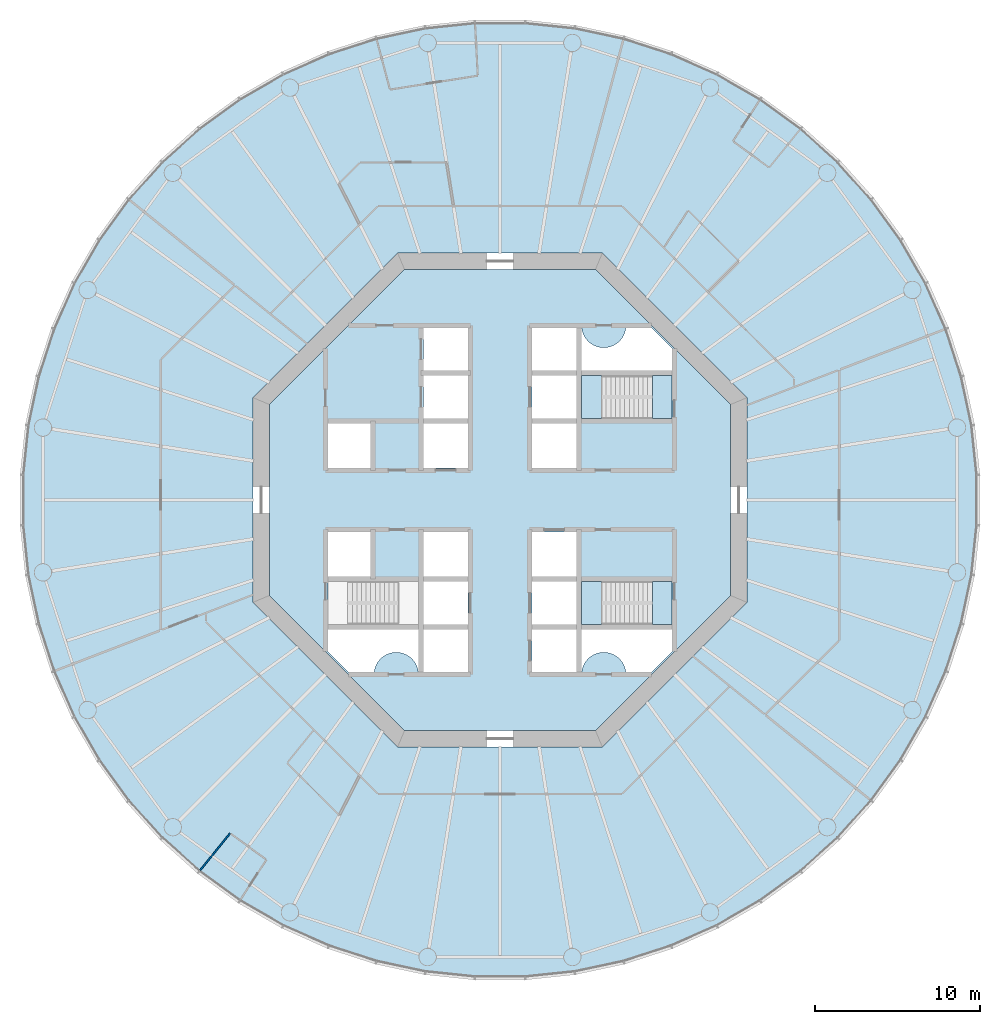
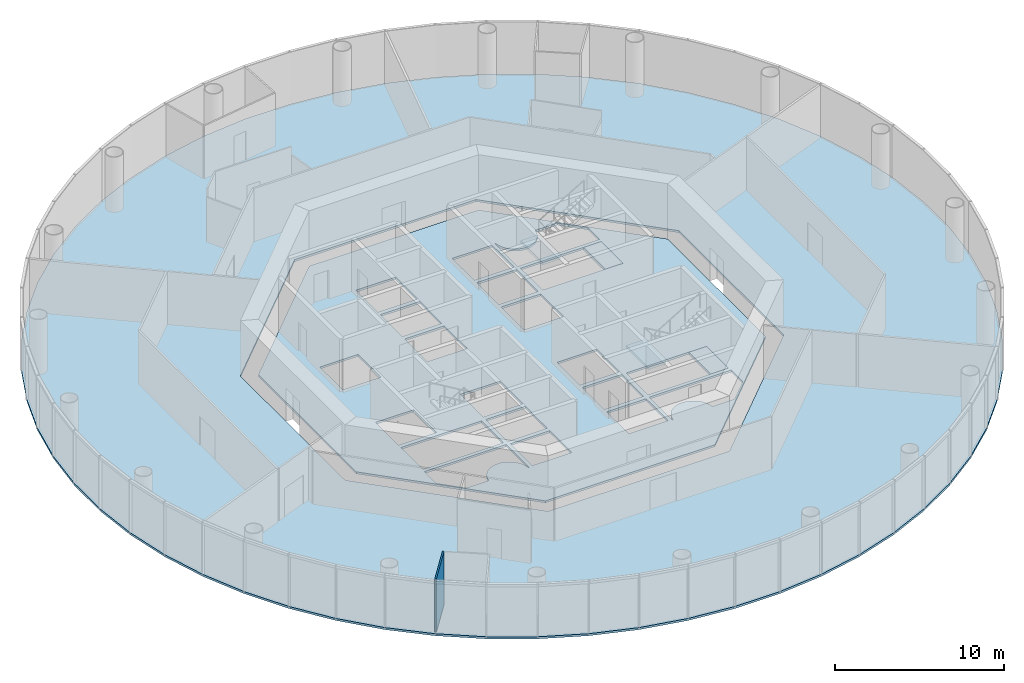
# One storey, part 2 of 12: 6 slabs, 1 wall, 2 elements without a shape of their own.
"""IFC4 building model written with IfcOpenShell, lengths in metres."""

import ifcopenshell
import ifcopenshell.guid

model = None  # the IFC model being written
_history = None  # IfcOwnerHistory: only IFC2X3 demands one
_inside = {}  # id of a spatial element -> (the spatial element, [elements in it])
_under = {}  # id of a project, library or spatial element -> (it, [spatial elements below it])
_declared = {}  # id of a project -> (the project, [libraries it declares])
_typed = {}  # id of a type object -> (the type object, [elements of that type])
_made_of = {}  # id of a material, layer set ... -> (it, [elements and type objects made of it])


def new_model(schema):
    """Start an empty IFC model of exactly this schema.

    Asked for "IFC4X3", IfcOpenShell would pick the latest addendum, in which some entities
    have other attributes; the version numbers below select the first issue.
    IFC2X3 requires an IfcOwnerHistory on every rooted entity: one is made here for all.
    """
    global model, _history
    if schema == "IFC4X3":
        model = ifcopenshell.file(schema_version=(4, 3, 0, 0))
    else:
        model = ifcopenshell.file(schema=schema)
    _inside.clear()
    _under.clear()
    _declared.clear()
    _typed.clear()
    _made_of.clear()
    _history = None
    if model.schema == "IFC2X3":
        org = make("IfcOrganization", Name="unknown")
        user = make(
            "IfcPersonAndOrganization",
            ThePerson=make("IfcPerson", FamilyName="unknown"),
            TheOrganization=org,
        )
        app = make(
            "IfcApplication",
            ApplicationDeveloper=org,
            Version="unknown",
            ApplicationFullName="unknown",
            ApplicationIdentifier="unknown",
        )
        _history = make(
            "IfcOwnerHistory",
            OwningUser=user,
            OwningApplication=app,
            ChangeAction="ADDED",
            CreationDate=0,
        )
    return model


def make(cls, **values):
    """One entity of the class cls with the attributes given. An attribute that is None is left unset."""
    return model.create_entity(
        cls, **{name: value for name, value in values.items() if value is not None}
    )


def rooted(cls, **values):
    """An entity with a GlobalId (a new one), such as an element, a storey or a relation."""
    return make(cls, GlobalId=ifcopenshell.guid.new(), OwnerHistory=_history, **values)


def si_unit(unit_type, name, prefix=None):
    """IfcSIUnit, for example si_unit("LENGTHUNIT", "METRE", prefix="MILLI")."""
    return make("IfcSIUnit", UnitType=unit_type, Prefix=prefix, Name=name)


def assignment(units):
    """IfcUnitAssignment: the units of a project."""
    return None if units is None else make("IfcUnitAssignment", Units=units)


def point(xyz):
    """IfcCartesianPoint."""
    return None if xyz is None else make("IfcCartesianPoint", Coordinates=xyz)


def direction(xyz):
    """IfcDirection."""
    return None if xyz is None else make("IfcDirection", DirectionRatios=xyz)


def frame(location, z_axis=None, x_axis=None):
    """IfcAxis2Placement3D, a coordinate frame: its origin and axes. An axis left out is left unset."""
    return make(
        "IfcAxis2Placement3D",
        Location=point(location),
        Axis=direction(z_axis),
        RefDirection=direction(x_axis),
    )


def frame_2d(location, x_axis=None):
    """IfcAxis2Placement2D, a coordinate frame in the plane: its origin and x axis."""
    return make(
        "IfcAxis2Placement2D", Location=point(location), RefDirection=direction(x_axis)
    )


def origin():
    """The frame at (0, 0, 0) with its axes left unset."""
    return frame((0.0, 0.0, 0.0))


def place(relative_to, where):
    """IfcLocalPlacement: puts the frame where relative to a parent placement (None: the world)."""
    return make(
        "IfcLocalPlacement", PlacementRelTo=relative_to, RelativePlacement=where
    )


def context(
    kind, dimensions, precision=None, world=None, true_north=None, identifier=None
):
    """IfcGeometricRepresentationContext, for example the 3D "Model" context."""
    return make(
        "IfcGeometricRepresentationContext",
        ContextIdentifier=identifier,
        ContextType=kind,
        CoordinateSpaceDimension=dimensions,
        Precision=precision,
        WorldCoordinateSystem=world,
        TrueNorth=true_north,
    )


def subcontext(parent, identifier, kind, view, scale=None):
    """IfcGeometricRepresentationSubContext, for example "Body" below "Model"."""
    return make(
        "IfcGeometricRepresentationSubContext",
        ContextIdentifier=identifier,
        ContextType=kind,
        ParentContext=parent,
        TargetScale=scale,
        TargetView=view,
    )


def project(units=None, contexts=None):
    """IfcProject with its units and contexts."""
    return rooted(
        "IfcProject",
        Name="project",
        RepresentationContexts=contexts,
        UnitsInContext=assignment(units),
    )


def spatial(cls, under=None, at=None, **own):
    """A site, building, storey or space (cls), placed at a placement, below another one or the project."""
    s = rooted(cls, ObjectPlacement=at, **own)
    if under is not None:
        _under.setdefault(under.id(), (under, []))[1].append(s)
    return s


def polyline(points):
    """IfcPolyline through the points."""
    return make("IfcPolyline", Points=[point(p) for p in points])


def profile(cls, at=None, kind="AREA", **sizes):
    """A parametric profile (cls). Its sizes go by their IFC names, for example OverallWidth=200.0."""
    return make(cls, ProfileType=kind, Position=at, **sizes)


def rectangle(**sizes):
    """IfcRectangleProfileDef."""
    return profile("IfcRectangleProfileDef", **sizes)


def outline(outer, holes=None, kind="AREA"):
    """IfcArbitraryClosedProfileDef: a profile drawn as a closed curve; with holes, ...WithVoids."""
    if holes is None:
        return make("IfcArbitraryClosedProfileDef", ProfileType=kind, OuterCurve=outer)
    return make(
        "IfcArbitraryProfileDefWithVoids",
        ProfileType=kind,
        OuterCurve=outer,
        InnerCurves=holes,
    )


def extrude(swept, where, along, depth):
    """IfcExtrudedAreaSolid: the profile swept, set in the frame where, extruded along a direction by depth."""
    return make(
        "IfcExtrudedAreaSolid",
        SweptArea=swept,
        Position=where,
        ExtrudedDirection=direction(along),
        Depth=depth,
    )


def shape(context_of_items, identifier, shape_type, items):
    """IfcShapeRepresentation: the items that make up one representation, for example the "Body"."""
    return make(
        "IfcShapeRepresentation",
        ContextOfItems=context_of_items,
        RepresentationIdentifier=identifier,
        RepresentationType=shape_type,
        Items=items,
    )


def material(Name=None, Category=None):
    """IfcMaterial."""
    return make("IfcMaterial", Name=Name, Category=Category)


def layer(
    of_material, thickness, ventilated=None, Name=None, Category=None, Priority=None
):
    """IfcMaterialLayer: one layer of a wall or slab, of a material (None: an air gap)."""
    return make(
        "IfcMaterialLayer",
        Material=of_material,
        LayerThickness=thickness,
        IsVentilated=ventilated,
        Name=Name,
        Category=Category,
        Priority=Priority,
    )


def layer_set(layers, Name=None):
    """IfcMaterialLayerSet."""
    return make("IfcMaterialLayerSet", MaterialLayers=layers, LayerSetName=Name)


def made_of(thing, what):
    """Note that an element or type object is made of a material, layer set ...; save() writes the relation."""
    if what is not None:
        _made_of.setdefault(what.id(), (what, []))[1].append(thing)
    return thing


def type_object(cls, material=None, **own):
    """A type object (cls), such as IfcWallType, which elements share."""
    return made_of(rooted(cls, **own), material)


def element(
    cls,
    number,
    at=None,
    inside=None,
    cuts=None,
    type_object=None,
    material=None,
    context=None,
    identifier="Body",
    shape_type=None,
    held_by="IfcProductDefinitionShape",
    body=None,
    shapes=None,
    **own,
):
    """One element of the class cls, such as IfcWall. Its Tag is "e" and its number.

    at: its placement. inside: the storey or other place that contains it. cuts: it is an
    opening in that element (IfcRelVoidsElement). A single representation is given by context,
    identifier, shape_type and body (its items); several are given by shapes. held_by: the class
    of the entity that holds the representations. save() writes the other relations.
    """
    e = rooted(cls, Tag="e%d" % number, ObjectPlacement=at, **own)
    if body is not None:
        shapes = [shape(context, identifier, shape_type, body)]
    if shapes is not None:
        e.Representation = make(held_by, Representations=shapes)
    if inside is not None:
        _inside.setdefault(inside.id(), (inside, []))[1].append(e)
    if cuts is not None:
        rooted(
            "IfcRelVoidsElement", RelatingBuildingElement=cuts, RelatedOpeningElement=e
        )
    if type_object is not None:
        _typed.setdefault(type_object.id(), (type_object, []))[1].append(e)
    return made_of(e, material)


def aggregate(whole, parts):
    """IfcRelAggregates: a whole, such as a stair, and the parts it consists of."""
    return rooted("IfcRelAggregates", RelatingObject=whole, RelatedObjects=parts)


def save(model, path):
    """Write the relations noted so far, then the file.

    IfcRelAggregates (storeys below a building ...), IfcRelContainedInSpatialStructure (elements
    in a storey), IfcRelDefinesByType, IfcRelAssociatesMaterial and IfcRelDeclares: one each for
    every whole, place, type object, material and project.
    """
    for whole, parts in _under.values():
        aggregate(whole, parts)
    for where, things in _inside.values():
        rooted(
            "IfcRelContainedInSpatialStructure",
            RelatedElements=things,
            RelatingStructure=where,
        )
    for kind, things in _typed.values():
        rooted("IfcRelDefinesByType", RelatedObjects=things, RelatingType=kind)
    for what, things in _made_of.values():
        rooted("IfcRelAssociatesMaterial", RelatedObjects=things, RelatingMaterial=what)
    for by, libraries in _declared.values():
        rooted("IfcRelDeclares", RelatingContext=by, RelatedDefinitions=libraries)
    model.write(path)


model = new_model("IFC4")

# Units and contexts
model_context = context("Model", 3, precision=1e-05, world=origin(), true_north=direction((0.0, 1.0)))
body_context = subcontext(model_context, "Body", "Model", "MODEL_VIEW")
ifc_project = project(units=[si_unit("LENGTHUNIT", "METRE"), si_unit("AREAUNIT", "SQUARE_METRE"), si_unit("VOLUMEUNIT", "CUBIC_METRE"), si_unit("PLANEANGLEUNIT", "RADIAN"), si_unit("MASSUNIT", "GRAM", prefix="KILO")], contexts=[model_context])

# Site, building, storey
site_placement = place(None, origin())
site = spatial("IfcSite", under=ifc_project, at=site_placement, CompositionType="ELEMENT")
building_placement = place(site_placement, origin())
building = spatial("IfcBuilding", under=site, at=building_placement, Name="Entoto Ring Tower", CompositionType="ELEMENT")
storey_placement = place(building_placement, frame((0.0, 0.0, 148.0)))
storey = spatial("IfcBuildingStorey", under=building, at=storey_placement, Name="L33", CompositionType="ELEMENT", Elevation=148.0)

# Slabs
ifc_material_1 = material(Name="Concrete C30/37", Category="concrete")
ifc_layer_1 = layer(ifc_material_1, 0.14990234375)
ifc_layer_set_1 = layer_set([ifc_layer_1], Name="Concrete C30/37")
slab_type_1 = type_object("IfcSlabType", Name="Composite floor slab 150 mm", PredefinedType="FLOOR", material=ifc_layer_set_1)
slab_1_placement = place(storey_placement, frame((0.0, 0.0, -0.14990234375)))
element("IfcSlab", 1, at=slab_1_placement, inside=storey, type_object=slab_type_1, Name="Floor slab L33", PredefinedType="FLOOR", context=body_context, shape_type="SweptSolid", body=[
    extrude(outline(polyline([(118.74169921875, 84.55224609375), (118.1083984375, 87.53173828125), (117.167236328125, 90.428466796875), (115.92822265625, 93.211181640625), (114.4052734375, 95.848876953125), (112.614990234375, 98.313232421875), (110.576904296875, 100.576904296875), (108.313232421875, 102.614990234375), (105.848876953125, 104.4052734375), (103.211181640625, 105.92822265625), (100.428466796875, 107.167236328125), (97.53173828125, 108.1083984375), (94.55224609375, 108.74169921875), (91.52294921875, 109.06005859375), (88.47705078125, 109.06005859375), (85.44775390625, 108.74169921875), (82.46826171875, 108.1083984375), (79.571533203125, 107.167236328125), (76.788818359375, 105.92822265625), (74.151123046875, 104.4052734375), (71.686767578125, 102.614990234375), (69.423095703125, 100.576904296875), (67.385009765625, 98.313232421875), (65.5947265625, 95.848876953125), (64.07177734375, 93.211181640625), (62.832763671875, 90.428466796875), (61.8916015625, 87.53173828125), (61.25830078125, 84.55224609375), (60.93994140625, 81.52294921875), (60.93994140625, 78.47705078125), (61.25830078125, 75.44775390625), (61.8916015625, 72.46826171875), (62.832763671875, 69.571533203125), (64.07177734375, 66.788818359375), (65.5947265625, 64.151123046875), (67.385009765625, 61.686767578125), (69.423095703125, 59.423095703125), (71.686767578125, 57.385009765625), (74.151123046875, 55.5947265625), (76.788818359375, 54.07177734375), (79.571533203125, 52.832763671875), (82.46826171875, 51.8916015625), (85.44775390625, 51.25830078125), (88.47705078125, 50.93994140625), (91.52294921875, 50.93994140625), (94.55224609375, 51.25830078125), (97.53173828125, 51.8916015625), (100.428466796875, 52.832763671875), (103.211181640625, 54.07177734375), (105.848876953125, 55.5947265625), (108.313232421875, 57.385009765625), (110.576904296875, 59.423095703125), (112.614990234375, 61.686767578125), (114.4052734375, 64.151123046875), (115.92822265625, 66.788818359375), (117.167236328125, 69.571533203125), (118.1083984375, 72.46826171875), (118.74169921875, 75.44775390625), (119.06005859375, 78.47705078125), (119.06005859375, 81.52294921875), (118.74169921875, 84.55224609375)]), holes=[polyline([(105.0, 73.786865234375), (105.0, 86.213134765625), (96.213134765625, 95.0), (83.786865234375, 95.0), (75.0, 86.213134765625), (75.0, 73.786865234375), (83.786865234375, 65.0), (96.213134765625, 65.0), (105.0, 73.786865234375)])]), origin(), (0.0, 0.0, 1.0), 0.14990234375),
])
ifc_material_2 = material(Name="Concrete C40/50", Category="concrete")
ifc_layer_2 = layer(ifc_material_2, 0.14990234375)
ifc_layer_set_2 = layer_set([ifc_layer_2], Name="Concrete C40/50")
slab_type_2 = type_object("IfcSlabType", Name="Core floor slab 150 mm reinforced concrete C40/50", PredefinedType="FLOOR", material=ifc_layer_set_2)
slab_2_placement = place(storey_placement, frame((0.0, 0.0, -0.14990234375)))
element("IfcSlab", 2, at=slab_2_placement, inside=storey, type_object=slab_type_2, Name="Core floor L33", PredefinedType="FLOOR", context=body_context, shape_type="SweptSolid", body=[
    extrude(outline(polyline([(104.0, 74.200927734375), (104.0, 85.799072265625), (95.799072265625, 94.0), (84.200927734375, 94.0), (76.0, 85.799072265625), (76.0, 74.200927734375), (84.200927734375, 66.0), (95.799072265625, 66.0), (104.0, 74.200927734375)]), holes=[polyline([(100.449951171875, 84.949951171875), (100.449951171875, 87.550048828125), (94.949951171875, 87.550048828125), (94.949951171875, 84.949951171875), (100.449951171875, 84.949951171875)]), polyline([(85.050048828125, 72.449951171875), (85.050048828125, 75.050048828125), (79.550048828125, 75.050048828125), (79.550048828125, 72.449951171875), (85.050048828125, 72.449951171875)]), polyline([(100.449951171875, 72.449951171875), (100.449951171875, 75.050048828125), (94.949951171875, 75.050048828125), (94.949951171875, 72.449951171875), (100.449951171875, 72.449951171875)]), polyline([(91.949951171875, 84.949951171875), (94.64990234375, 84.949951171875), (94.64990234375, 87.550048828125), (91.949951171875, 87.550048828125), (91.949951171875, 84.949951171875)]), polyline([(91.949951171875, 72.449951171875), (94.64990234375, 72.449951171875), (94.64990234375, 75.050048828125), (91.949951171875, 75.050048828125), (91.949951171875, 72.449951171875)]), polyline([(91.949951171875, 69.550048828125), (94.64990234375, 69.550048828125), (94.64990234375, 72.14990234375), (91.949951171875, 72.14990234375), (91.949951171875, 69.550048828125)]), polyline([(85.35009765625, 72.449951171875), (88.050048828125, 72.449951171875), (88.050048828125, 75.050048828125), (85.35009765625, 75.050048828125), (85.35009765625, 72.449951171875)]), polyline([(85.35009765625, 81.949951171875), (88.050048828125, 81.949951171875), (88.050048828125, 84.64990234375), (85.35009765625, 84.64990234375), (85.35009765625, 81.949951171875)]), polyline([(91.949951171875, 75.35009765625), (94.64990234375, 75.35009765625), (94.64990234375, 78.050048828125), (91.949951171875, 78.050048828125), (91.949951171875, 75.35009765625)]), polyline([(79.550048828125, 81.949951171875), (82.14990234375, 81.949951171875), (82.14990234375, 84.64990234375), (79.550048828125, 84.64990234375), (79.550048828125, 81.949951171875)]), polyline([(79.550048828125, 75.35009765625), (82.14990234375, 75.35009765625), (82.14990234375, 78.050048828125), (79.550048828125, 78.050048828125), (79.550048828125, 75.35009765625)]), polyline([(91.949951171875, 87.85009765625), (94.64990234375, 87.85009765625), (94.64990234375, 90.449951171875), (91.949951171875, 90.449951171875), (91.949951171875, 87.85009765625)]), polyline([(85.35009765625, 69.550048828125), (88.050048828125, 69.550048828125), (88.050048828125, 72.14990234375), (85.35009765625, 72.14990234375), (85.35009765625, 69.550048828125)]), polyline([(91.949951171875, 81.949951171875), (94.64990234375, 81.949951171875), (94.64990234375, 84.64990234375), (91.949951171875, 84.64990234375), (91.949951171875, 81.949951171875)]), polyline([(85.35009765625, 75.35009765625), (88.050048828125, 75.35009765625), (88.050048828125, 78.050048828125), (85.35009765625, 78.050048828125), (85.35009765625, 75.35009765625)]), polyline([(85.35009765625, 84.949951171875), (88.050048828125, 84.949951171875), (88.050048828125, 87.550048828125), (85.35009765625, 87.550048828125), (85.35009765625, 84.949951171875)]), polyline([(85.35009765625, 87.85009765625), (88.050048828125, 87.85009765625), (88.050048828125, 90.449951171875), (85.35009765625, 90.449951171875), (85.35009765625, 87.85009765625)]), polyline([(94.89990234375, 90.5), (94.89990234375, 87.800048828125), (100.5, 87.800048828125), (100.5, 89.15771484375), (99.15771484375, 90.5), (97.64501953125, 90.5), (97.6435546875, 90.4677734375), (97.6240234375, 90.336669921875), (97.591796875, 90.2080078125), (97.547119140625, 90.08349609375), (97.490478515625, 89.963623046875), (97.422607421875, 89.85009765625), (97.343505859375, 89.74365234375), (97.254638671875, 89.6455078125), (97.156494140625, 89.556396484375), (97.050048828125, 89.4775390625), (96.936279296875, 89.409423828125), (96.816650390625, 89.352783203125), (96.69189453125, 89.30810546875), (96.5634765625, 89.27587890625), (96.432373046875, 89.256591796875), (96.300048828125, 89.25), (96.167724609375, 89.256591796875), (96.03662109375, 89.27587890625), (95.908203125, 89.30810546875), (95.783447265625, 89.352783203125), (95.66357421875, 89.409423828125), (95.550048828125, 89.4775390625), (95.443603515625, 89.556396484375), (95.345458984375, 89.6455078125), (95.25634765625, 89.74365234375), (95.177490234375, 89.85009765625), (95.109375, 89.963623046875), (95.052734375, 90.08349609375), (95.008056640625, 90.2080078125), (94.975830078125, 90.336669921875), (94.95654296875, 90.4677734375), (94.954833984375, 90.5), (94.89990234375, 90.5)]), polyline([(79.5, 70.84228515625), (80.84228515625, 69.5), (82.35498046875, 69.5), (82.3564453125, 69.5322265625), (82.3759765625, 69.663330078125), (82.408203125, 69.7919921875), (82.452880859375, 69.91650390625), (82.509521484375, 70.036376953125), (82.577392578125, 70.14990234375), (82.656494140625, 70.25634765625), (82.745361328125, 70.3544921875), (82.843505859375, 70.443603515625), (82.949951171875, 70.5224609375), (83.063720703125, 70.590576171875), (83.183349609375, 70.647216796875), (83.30810546875, 70.69189453125), (83.4365234375, 70.72412109375), (83.567626953125, 70.743408203125), (83.699951171875, 70.75), (83.832275390625, 70.743408203125), (83.96337890625, 70.72412109375), (84.091796875, 70.69189453125), (84.216552734375, 70.647216796875), (84.33642578125, 70.590576171875), (84.449951171875, 70.5224609375), (84.556396484375, 70.443603515625), (84.654541015625, 70.3544921875), (84.74365234375, 70.25634765625), (84.822509765625, 70.14990234375), (84.890625, 70.036376953125), (84.947265625, 69.91650390625), (84.991943359375, 69.7919921875), (85.024169921875, 69.663330078125), (85.04345703125, 69.5322265625), (85.045166015625, 69.5), (85.10009765625, 69.5), (85.10009765625, 72.199951171875), (79.5, 72.199951171875), (79.5, 70.84228515625)]), polyline([(97.64501953125, 69.5), (99.15771484375, 69.5), (100.5, 70.84228515625), (100.5, 72.199951171875), (94.89990234375, 72.199951171875), (94.89990234375, 69.5), (94.954833984375, 69.5), (94.95654296875, 69.5322265625), (94.975830078125, 69.663330078125), (95.008056640625, 69.7919921875), (95.052734375, 69.91650390625), (95.109375, 70.036376953125), (95.177490234375, 70.14990234375), (95.25634765625, 70.25634765625), (95.345458984375, 70.3544921875), (95.443603515625, 70.443603515625), (95.550048828125, 70.5224609375), (95.66357421875, 70.590576171875), (95.783447265625, 70.647216796875), (95.908203125, 70.69189453125), (96.03662109375, 70.72412109375), (96.167724609375, 70.743408203125), (96.300048828125, 70.75), (96.432373046875, 70.743408203125), (96.5634765625, 70.72412109375), (96.69189453125, 70.69189453125), (96.816650390625, 70.647216796875), (96.936279296875, 70.590576171875), (97.050048828125, 70.5224609375), (97.156494140625, 70.443603515625), (97.254638671875, 70.3544921875), (97.343505859375, 70.25634765625), (97.422607421875, 70.14990234375), (97.490478515625, 70.036376953125), (97.547119140625, 69.91650390625), (97.591796875, 69.7919921875), (97.6240234375, 69.663330078125), (97.6435546875, 69.5322265625), (97.64501953125, 69.5)])]), origin(), (0.0, 0.0, 1.0), 0.14990234375),
])

# Stair, slabs
ifc_material_3 = material(Name="Concrete C40/50", Category="concrete")
stair_type = type_object("IfcStairType", Name="Exit stair 1200 mm dog-leg reinforced concrete", PredefinedType="HALF_TURN_STAIR", material=ifc_material_3)
stair_1_placement = place(storey_placement, origin())
stair_1 = element("IfcStair", 3, at=stair_1_placement, inside=storey, type_object=stair_type, Name="Exit stair 1", PredefinedType="HALF_TURN_STAIR")
ifc_material_4 = material(Name="Concrete C40/50", Category="concrete")
ifc_layer_3 = layer(ifc_material_4, 0.199951171875)
ifc_layer_set_3 = layer_set([ifc_layer_3], Name="Concrete C40/50")
slab_type_3 = type_object("IfcSlabType", Name="Stair landing 200 mm reinforced concrete", PredefinedType="LANDING", material=ifc_layer_set_3)
slab_3_placement = place(storey_placement, frame((0.0, 0.0, -0.199951171875)))
slab_3 = element("IfcSlab", 4, at=slab_3_placement, type_object=slab_type_3, Name="ST1 landing 1", PredefinedType="LANDING", context=body_context, shape_type="SweptSolid", body=[
    extrude(outline(polyline([(100.449951171875, 84.949951171875), (100.449951171875, 87.550048828125), (99.25, 87.550048828125), (99.25, 84.949951171875), (100.449951171875, 84.949951171875)])), origin(), (0.0, 0.0, 1.0), 0.199951171875),
])
slab_4_placement = place(storey_placement, frame((0.0, 0.0, 1.800048828125)))
slab_4 = element("IfcSlab", 5, at=slab_4_placement, type_object=slab_type_3, Name="ST1 landing 2", PredefinedType="LANDING", context=body_context, shape_type="SweptSolid", body=[
    extrude(outline(polyline([(94.949951171875, 84.949951171875), (96.169921875, 84.949951171875), (96.169921875, 87.550048828125), (94.949951171875, 87.550048828125), (94.949951171875, 84.949951171875)])), origin(), (0.0, 0.0, 1.0), 0.199951171875),
])
aggregate(stair_1, [slab_3, slab_4])

stair_2_placement = place(storey_placement, origin())
stair_2 = element("IfcStair", 6, at=stair_2_placement, inside=storey, type_object=stair_type, Name="Exit stair 3", PredefinedType="HALF_TURN_STAIR")
slab_5_placement = place(storey_placement, frame((0.0, 0.0, -0.199951171875)))
slab_5 = element("IfcSlab", 7, at=slab_5_placement, type_object=slab_type_3, Name="ST3 landing 1", PredefinedType="LANDING", context=body_context, shape_type="SweptSolid", body=[
    extrude(outline(polyline([(100.449951171875, 72.449951171875), (100.449951171875, 75.050048828125), (99.25, 75.050048828125), (99.25, 72.449951171875), (100.449951171875, 72.449951171875)])), origin(), (0.0, 0.0, 1.0), 0.199951171875),
])
slab_6_placement = place(storey_placement, frame((0.0, 0.0, 1.800048828125)))
slab_6 = element("IfcSlab", 8, at=slab_6_placement, type_object=slab_type_3, Name="ST3 landing 2", PredefinedType="LANDING", context=body_context, shape_type="SweptSolid", body=[
    extrude(outline(polyline([(94.949951171875, 72.449951171875), (96.169921875, 72.449951171875), (96.169921875, 75.050048828125), (94.949951171875, 75.050048828125), (94.949951171875, 72.449951171875)])), origin(), (0.0, 0.0, 1.0), 0.199951171875),
])
aggregate(stair_2, [slab_5, slab_6])

# Wall
ifc_material_5 = material(Name="Plasterboard on steel studs", Category="steel")
ifc_layer_4 = layer(ifc_material_5, 0.10009765625)
ifc_layer_set_4 = layer_set([ifc_layer_4], Name="Plasterboard on steel studs")
wall_type = type_object("IfcWallType", Name="Partition 100 mm plasterboard on steel studs", PredefinedType="PARTITIONING", material=ifc_layer_set_4)
wall_placement = place(storey_placement, frame((71.78759765625, 57.509521484375, 0.0), z_axis=(0.0, 0.0, 1.0), x_axis=(0.62931447196, 0.777150754604, 0.0)))
element("IfcWall", 9, at=wall_placement, inside=storey, type_object=wall_type, Name="partition-L33-031", PredefinedType="PARTITIONING", context=body_context, shape_type="SweptSolid", body=[
    extrude(rectangle(XDim=2.89990234375, YDim=0.10009765625, at=frame_2d((1.449951171875, 0.0))), origin(), (0.0, 0.0, 1.0), 3.85009765625),
])

save(model, "model.ifc")
